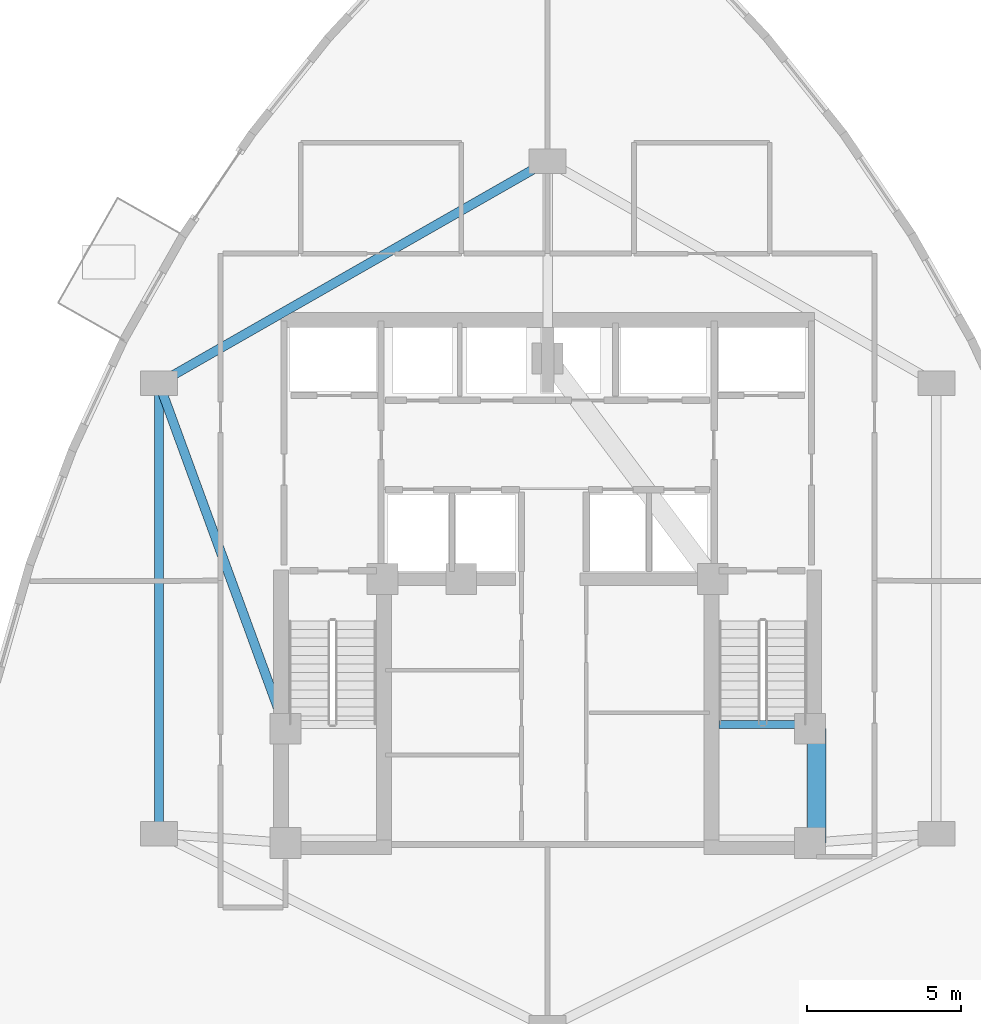
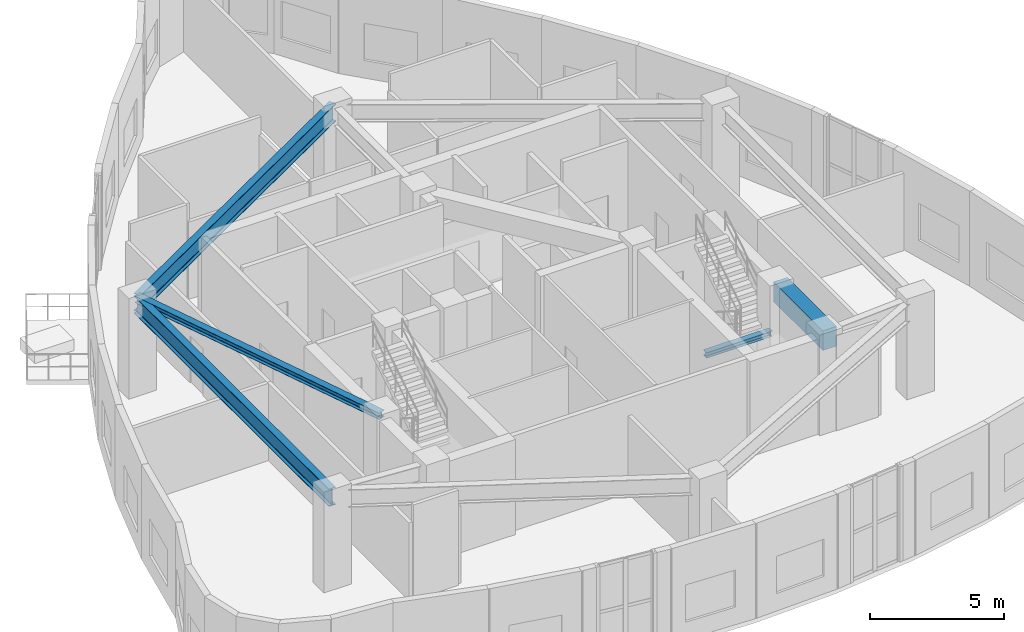
# One storey, part 5 of 14: 5 beams.
"""IFC4 building model written with IfcOpenShell, lengths in metres."""

from ifc_helpers import new_model, si_unit, direction, frame, origin, origin_2d, place, context, subcontext, project, spatial, rectangle, i_section, extrude, material, material_profile, profile_set, type_object, element, save


model = new_model("IFC4")

# Units and contexts
model_context = context("Model", 3, precision=1e-05, world=origin(), true_north=direction((0.0, 1.0)))
body_context = subcontext(model_context, "Body", "Model", "MODEL_VIEW")
ifc_project = project(units=[si_unit("LENGTHUNIT", "METRE"), si_unit("AREAUNIT", "SQUARE_METRE"), si_unit("VOLUMEUNIT", "CUBIC_METRE"), si_unit("PLANEANGLEUNIT", "RADIAN"), si_unit("MASSUNIT", "GRAM", prefix="KILO")], contexts=[model_context])

# Site, building, storey
site_placement = place(None, origin())
site = spatial("IfcSite", under=ifc_project, at=site_placement, CompositionType="ELEMENT")
building_placement = place(site_placement, origin())
building = spatial("IfcBuilding", under=site, at=building_placement, Name="Miruveldt Soraemaru", CompositionType="ELEMENT")
storey_placement = place(building_placement, frame((0.0, 0.0, 189.800048828125)))
storey = spatial("IfcBuildingStorey", under=building, at=storey_placement, Name="L52", CompositionType="ELEMENT", Elevation=189.800048828125)

# Beams
ifc_material_1 = material(Name="Steel SM355 (355 MPa)", Category="steel")
ifc_material_profile_1 = material_profile(ifc_material_1, i_section(OverallWidth=0.300048828125, OverallDepth=0.300048828125, WebThickness=0.010009765625, FlangeThickness=0.014892578125, FilletRadius=0.01806640625, at=origin_2d()), Name="Steel SM355 (355 MPa)", Category="steel")
ifc_profile_set_1 = profile_set([ifc_material_profile_1], Name="Steel SM355 (355 MPa)")
beam_type_1 = type_object("IfcBeamType", Name="BM-LNT-H300", PredefinedType="LINTEL", material=ifc_profile_set_1)
beam_1_placement = place(storey_placement, frame((31.39990234375, 50.39990234375, 4.195068359375), z_axis=(0.343770424598, -0.939053723262, 0.0), x_axis=(0.939053723262, 0.343770424598, 0.0)))
element("IfcBeam", 1, at=beam_1_placement, inside=storey, type_object=beam_type_1, Name="L52 West Lobby Lintel", PredefinedType="LINTEL", context=body_context, shape_type="SweptSolid", body=[
    extrude(i_section(OverallWidth=0.300048828125, OverallDepth=0.300048828125, WebThickness=0.010009765625, FlangeThickness=0.014892578125, FilletRadius=0.01806640625, at=origin_2d()), origin(), (0.0, 0.0, 1.0), 11.9267578125),
])
ifc_material_2 = material(Name="Concrete C60/75 (60 MPa)", Category="concrete")
ifc_material_profile_2 = material_profile(ifc_material_2, rectangle(XDim=0.60009765625, YDim=0.89990234375, at=origin_2d()), Name="Concrete C60/75 (60 MPa)", Category="concrete")
ifc_profile_set_2 = profile_set([ifc_material_profile_2], Name="Concrete C60/75 (60 MPa)")
beam_type_2 = type_object("IfcBeamType", Name="BM-RC-600x900", PredefinedType="BEAM", material=ifc_profile_set_2)
beam_2_placement = place(storey_placement, frame((52.72998046875, 35.5, 3.89501953125), z_axis=(0.0, 1.0, 0.0), x_axis=(-1.0, 0.0, 0.0)))
element("IfcBeam", 2, at=beam_2_placement, inside=storey, type_object=beam_type_2, Name="L52 Core Tie Beam 3", PredefinedType="BEAM", context=body_context, shape_type="SweptSolid", body=[
    extrude(rectangle(XDim=0.60009765625, YDim=0.89990234375, at=origin_2d()), origin(), (0.0, 0.0, 1.0), 3.699951171875),
])
ifc_material_3 = material(Name="Steel S460 (460 MPa)", Category="steel")
ifc_material_profile_3 = material_profile(ifc_material_3, i_section(OverallWidth=0.300048828125, OverallDepth=0.800048828125, WebThickness=0.013916015625, FlangeThickness=0.02587890625, FilletRadius=0.028076171875, at=origin_2d()), Name="Steel S460 (460 MPa)", Category="steel")
ifc_profile_set_3 = profile_set([ifc_material_profile_3], Name="Steel S460 (460 MPa)")
beam_type_3 = type_object("IfcBeamType", Name="BM-ST-H800", PredefinedType="BEAM", material=ifc_profile_set_3)
beam_3_placement = place(storey_placement, frame((31.39990234375, 35.800048828125, 3.945068359375), z_axis=(0.0, 1.0, 0.0), x_axis=(-1.0, 0.0, 0.0)))
element("IfcBeam", 3, at=beam_3_placement, inside=storey, type_object=beam_type_3, Name="L52 Inner Ring Girder 5", PredefinedType="BEAM", context=body_context, shape_type="SweptSolid", body=[
    extrude(i_section(OverallWidth=0.300048828125, OverallDepth=0.800048828125, WebThickness=0.013916015625, FlangeThickness=0.02587890625, FilletRadius=0.028076171875, at=origin_2d()), origin(), (0.0, 0.0, 1.0), 14.599853515625),
])
beam_4_placement = place(storey_placement, frame((31.39990234375, 50.39990234375, 3.945068359375), z_axis=(0.868239001029, 0.496146185203, 0.0), x_axis=(-0.496146185203, 0.868239001029, 0.0)))
element("IfcBeam", 4, at=beam_4_placement, inside=storey, type_object=beam_type_3, Name="L52 Inner Ring Girder 6", PredefinedType="BEAM", context=body_context, shape_type="SweptSolid", body=[
    extrude(i_section(OverallWidth=0.300048828125, OverallDepth=0.800048828125, WebThickness=0.013916015625, FlangeThickness=0.02587890625, FilletRadius=0.028076171875, at=origin_2d()), origin(), (0.0, 0.0, 1.0), 14.51220703125),
])
ifc_material_profile_4 = material_profile(ifc_material_1, i_section(OverallWidth=0.25, OverallDepth=0.25, WebThickness=0.009033203125, FlangeThickness=0.013916015625, FilletRadius=0.01611328125, at=origin_2d()), Name="Steel SM355 (355 MPa)", Category="steel")
ifc_profile_set_4 = profile_set([ifc_material_profile_4], Name="Steel SM355 (355 MPa)")
beam_type_4 = type_object("IfcBeamType", Name="BM-ST-LND250", PredefinedType="BEAM", material=ifc_profile_set_4)
beam_5_placement = place(storey_placement, frame((49.550048828125, 39.340087890625, 1.974853515625), z_axis=(1.0, 0.0, 0.0), x_axis=(0.0, 1.0, 0.0)))
element("IfcBeam", 5, at=beam_5_placement, inside=storey, type_object=beam_type_4, Name="L52 ST2 Landing Support Beam 1A", PredefinedType="BEAM", context=body_context, shape_type="SweptSolid", body=[
    extrude(i_section(OverallWidth=0.25, OverallDepth=0.25, WebThickness=0.009033203125, FlangeThickness=0.013916015625, FilletRadius=0.01611328125, at=origin_2d()), origin(), (0.0, 0.0, 1.0), 2.849853515625),
])

save(model, "model.ifc")
